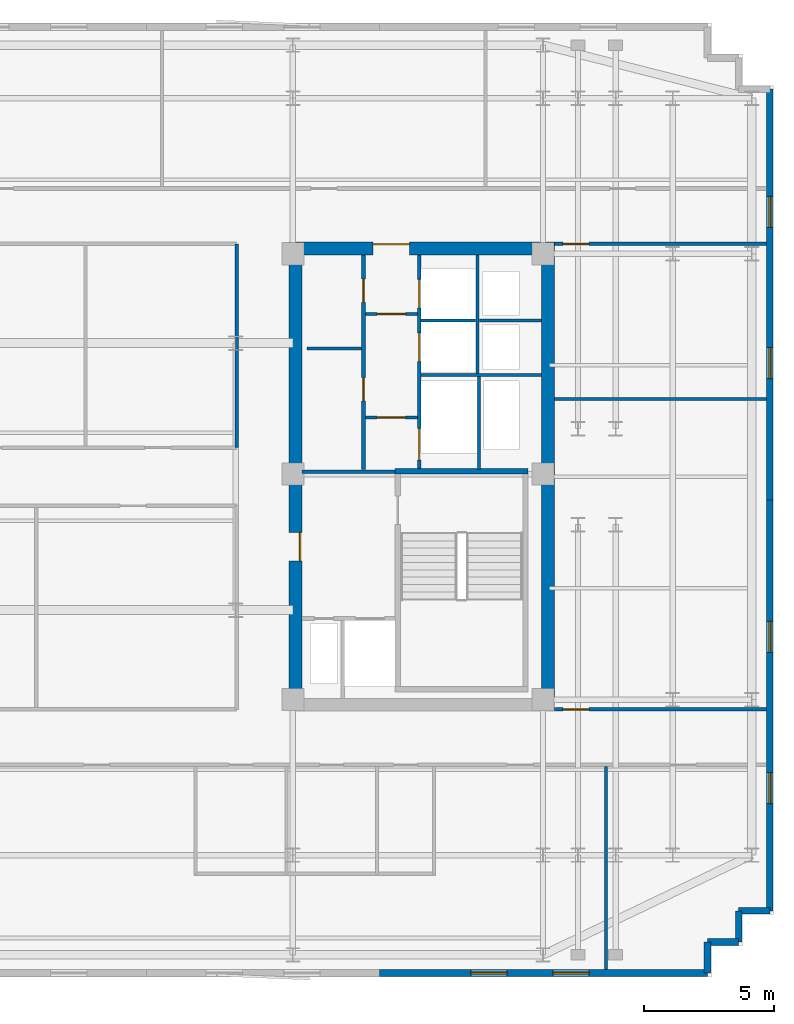
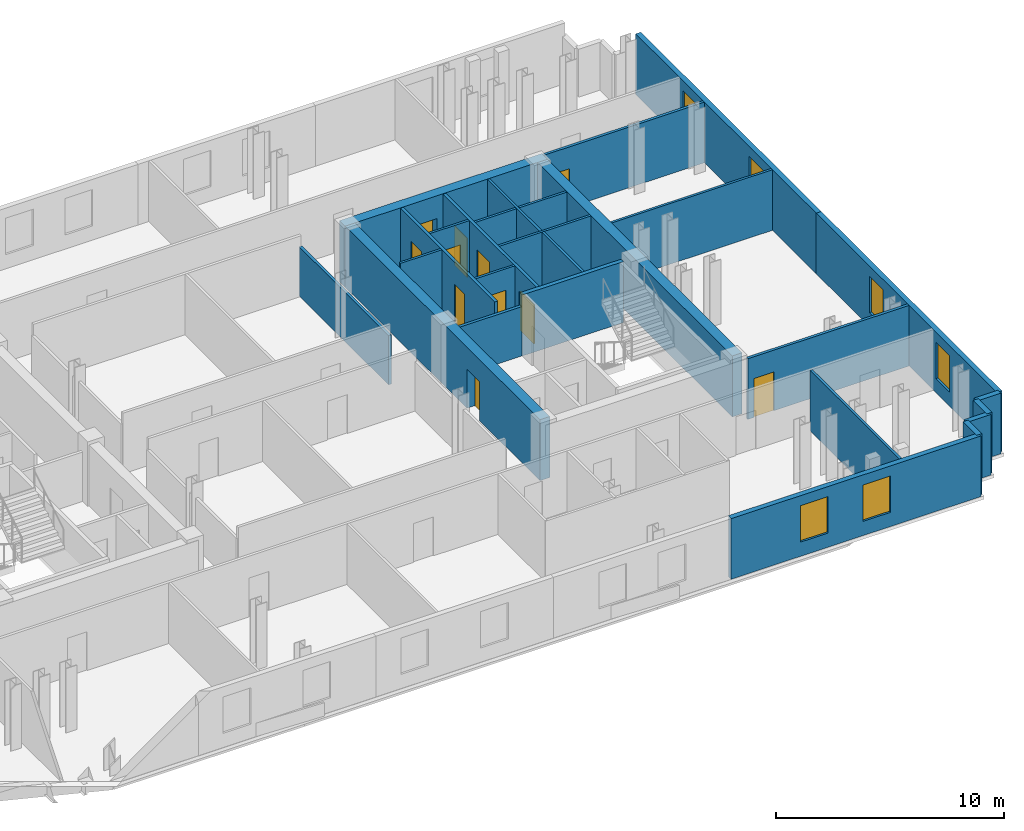
# One storey, part 6 of 9: 27 walls, 11 doors, 6 windows, 17 openings.
"""IFC4 building model written with IfcOpenShell, lengths in metres."""

import ifcopenshell
import ifcopenshell.guid

model = None  # the IFC model being written
_history = None  # IfcOwnerHistory: only IFC2X3 demands one
_inside = {}  # id of a spatial element -> (the spatial element, [elements in it])
_under = {}  # id of a project, library or spatial element -> (it, [spatial elements below it])
_declared = {}  # id of a project -> (the project, [libraries it declares])
_typed = {}  # id of a type object -> (the type object, [elements of that type])
_made_of = {}  # id of a material, layer set ... -> (it, [elements and type objects made of it])


def new_model(schema):
    """Start an empty IFC model of exactly this schema.

    Asked for "IFC4X3", IfcOpenShell would pick the latest addendum, in which some entities
    have other attributes; the version numbers below select the first issue.
    IFC2X3 requires an IfcOwnerHistory on every rooted entity: one is made here for all.
    """
    global model, _history
    if schema == "IFC4X3":
        model = ifcopenshell.file(schema_version=(4, 3, 0, 0))
    else:
        model = ifcopenshell.file(schema=schema)
    _inside.clear()
    _under.clear()
    _declared.clear()
    _typed.clear()
    _made_of.clear()
    _history = None
    if model.schema == "IFC2X3":
        org = make("IfcOrganization", Name="unknown")
        user = make(
            "IfcPersonAndOrganization",
            ThePerson=make("IfcPerson", FamilyName="unknown"),
            TheOrganization=org,
        )
        app = make(
            "IfcApplication",
            ApplicationDeveloper=org,
            Version="unknown",
            ApplicationFullName="unknown",
            ApplicationIdentifier="unknown",
        )
        _history = make(
            "IfcOwnerHistory",
            OwningUser=user,
            OwningApplication=app,
            ChangeAction="ADDED",
            CreationDate=0,
        )
    return model


def make(cls, **values):
    """One entity of the class cls with the attributes given. An attribute that is None is left unset."""
    return model.create_entity(
        cls, **{name: value for name, value in values.items() if value is not None}
    )


def rooted(cls, **values):
    """An entity with a GlobalId (a new one), such as an element, a storey or a relation."""
    return make(cls, GlobalId=ifcopenshell.guid.new(), OwnerHistory=_history, **values)


def si_unit(unit_type, name, prefix=None):
    """IfcSIUnit, for example si_unit("LENGTHUNIT", "METRE", prefix="MILLI")."""
    return make("IfcSIUnit", UnitType=unit_type, Prefix=prefix, Name=name)


def assignment(units):
    """IfcUnitAssignment: the units of a project."""
    return None if units is None else make("IfcUnitAssignment", Units=units)


def point(xyz):
    """IfcCartesianPoint."""
    return None if xyz is None else make("IfcCartesianPoint", Coordinates=xyz)


def direction(xyz):
    """IfcDirection."""
    return None if xyz is None else make("IfcDirection", DirectionRatios=xyz)


def frame(location, z_axis=None, x_axis=None):
    """IfcAxis2Placement3D, a coordinate frame: its origin and axes. An axis left out is left unset."""
    return make(
        "IfcAxis2Placement3D",
        Location=point(location),
        Axis=direction(z_axis),
        RefDirection=direction(x_axis),
    )


def frame_2d(location, x_axis=None):
    """IfcAxis2Placement2D, a coordinate frame in the plane: its origin and x axis."""
    return make(
        "IfcAxis2Placement2D", Location=point(location), RefDirection=direction(x_axis)
    )


def origin():
    """The frame at (0, 0, 0) with its axes left unset."""
    return frame((0.0, 0.0, 0.0))


def place(relative_to, where):
    """IfcLocalPlacement: puts the frame where relative to a parent placement (None: the world)."""
    return make(
        "IfcLocalPlacement", PlacementRelTo=relative_to, RelativePlacement=where
    )


def context(
    kind, dimensions, precision=None, world=None, true_north=None, identifier=None
):
    """IfcGeometricRepresentationContext, for example the 3D "Model" context."""
    return make(
        "IfcGeometricRepresentationContext",
        ContextIdentifier=identifier,
        ContextType=kind,
        CoordinateSpaceDimension=dimensions,
        Precision=precision,
        WorldCoordinateSystem=world,
        TrueNorth=true_north,
    )


def subcontext(parent, identifier, kind, view, scale=None):
    """IfcGeometricRepresentationSubContext, for example "Body" below "Model"."""
    return make(
        "IfcGeometricRepresentationSubContext",
        ContextIdentifier=identifier,
        ContextType=kind,
        ParentContext=parent,
        TargetScale=scale,
        TargetView=view,
    )


def project(units=None, contexts=None):
    """IfcProject with its units and contexts."""
    return rooted(
        "IfcProject",
        Name="project",
        RepresentationContexts=contexts,
        UnitsInContext=assignment(units),
    )


def spatial(cls, under=None, at=None, **own):
    """A site, building, storey or space (cls), placed at a placement, below another one or the project."""
    s = rooted(cls, ObjectPlacement=at, **own)
    if under is not None:
        _under.setdefault(under.id(), (under, []))[1].append(s)
    return s


def profile(cls, at=None, kind="AREA", **sizes):
    """A parametric profile (cls). Its sizes go by their IFC names, for example OverallWidth=200.0."""
    return make(cls, ProfileType=kind, Position=at, **sizes)


def rectangle(**sizes):
    """IfcRectangleProfileDef."""
    return profile("IfcRectangleProfileDef", **sizes)


def extrude(swept, where, along, depth):
    """IfcExtrudedAreaSolid: the profile swept, set in the frame where, extruded along a direction by depth."""
    return make(
        "IfcExtrudedAreaSolid",
        SweptArea=swept,
        Position=where,
        ExtrudedDirection=direction(along),
        Depth=depth,
    )


def shape(context_of_items, identifier, shape_type, items):
    """IfcShapeRepresentation: the items that make up one representation, for example the "Body"."""
    return make(
        "IfcShapeRepresentation",
        ContextOfItems=context_of_items,
        RepresentationIdentifier=identifier,
        RepresentationType=shape_type,
        Items=items,
    )


def material(Name=None, Category=None):
    """IfcMaterial."""
    return make("IfcMaterial", Name=Name, Category=Category)


def layer(
    of_material, thickness, ventilated=None, Name=None, Category=None, Priority=None
):
    """IfcMaterialLayer: one layer of a wall or slab, of a material (None: an air gap)."""
    return make(
        "IfcMaterialLayer",
        Material=of_material,
        LayerThickness=thickness,
        IsVentilated=ventilated,
        Name=Name,
        Category=Category,
        Priority=Priority,
    )


def layer_set(layers, Name=None):
    """IfcMaterialLayerSet."""
    return make("IfcMaterialLayerSet", MaterialLayers=layers, LayerSetName=Name)


def made_of(thing, what):
    """Note that an element or type object is made of a material, layer set ...; save() writes the relation."""
    if what is not None:
        _made_of.setdefault(what.id(), (what, []))[1].append(thing)
    return thing


def type_object(cls, material=None, **own):
    """A type object (cls), such as IfcWallType, which elements share."""
    return made_of(rooted(cls, **own), material)


def element(
    cls,
    number,
    at=None,
    inside=None,
    cuts=None,
    type_object=None,
    material=None,
    context=None,
    identifier="Body",
    shape_type=None,
    held_by="IfcProductDefinitionShape",
    body=None,
    shapes=None,
    **own,
):
    """One element of the class cls, such as IfcWall. Its Tag is "e" and its number.

    at: its placement. inside: the storey or other place that contains it. cuts: it is an
    opening in that element (IfcRelVoidsElement). A single representation is given by context,
    identifier, shape_type and body (its items); several are given by shapes. held_by: the class
    of the entity that holds the representations. save() writes the other relations.
    """
    e = rooted(cls, Tag="e%d" % number, ObjectPlacement=at, **own)
    if body is not None:
        shapes = [shape(context, identifier, shape_type, body)]
    if shapes is not None:
        e.Representation = make(held_by, Representations=shapes)
    if inside is not None:
        _inside.setdefault(inside.id(), (inside, []))[1].append(e)
    if cuts is not None:
        rooted(
            "IfcRelVoidsElement", RelatingBuildingElement=cuts, RelatedOpeningElement=e
        )
    if type_object is not None:
        _typed.setdefault(type_object.id(), (type_object, []))[1].append(e)
    return made_of(e, material)


def fill(opening, filler):
    """IfcRelFillsElement: the door or window that sits in an opening."""
    return rooted(
        "IfcRelFillsElement",
        RelatingOpeningElement=opening,
        RelatedBuildingElement=filler,
    )


def aggregate(whole, parts):
    """IfcRelAggregates: a whole, such as a stair, and the parts it consists of."""
    return rooted("IfcRelAggregates", RelatingObject=whole, RelatedObjects=parts)


def save(model, path):
    """Write the relations noted so far, then the file.

    IfcRelAggregates (storeys below a building ...), IfcRelContainedInSpatialStructure (elements
    in a storey), IfcRelDefinesByType, IfcRelAssociatesMaterial and IfcRelDeclares: one each for
    every whole, place, type object, material and project.
    """
    for whole, parts in _under.values():
        aggregate(whole, parts)
    for where, things in _inside.values():
        rooted(
            "IfcRelContainedInSpatialStructure",
            RelatedElements=things,
            RelatingStructure=where,
        )
    for kind, things in _typed.values():
        rooted("IfcRelDefinesByType", RelatedObjects=things, RelatingType=kind)
    for what, things in _made_of.values():
        rooted("IfcRelAssociatesMaterial", RelatedObjects=things, RelatingMaterial=what)
    for by, libraries in _declared.values():
        rooted("IfcRelDeclares", RelatingContext=by, RelatedDefinitions=libraries)
    model.write(path)


model = new_model("IFC4")

# Units and contexts
model_context = context("Model", 3, precision=1e-05, world=origin(), true_north=direction((0.0, 1.0)))
body_context = subcontext(model_context, "Body", "Model", "MODEL_VIEW")
ifc_project = project(units=[si_unit("LENGTHUNIT", "METRE"), si_unit("AREAUNIT", "SQUARE_METRE"), si_unit("VOLUMEUNIT", "CUBIC_METRE"), si_unit("PLANEANGLEUNIT", "RADIAN"), si_unit("MASSUNIT", "GRAM", prefix="KILO")], contexts=[model_context])

# Site, building, storey
site_placement = place(None, origin())
site = spatial("IfcSite", under=ifc_project, at=site_placement, CompositionType="ELEMENT")
building_placement = place(site_placement, origin())
building = spatial("IfcBuilding", under=site, at=building_placement, Name="Velakula Bourse", CompositionType="ELEMENT")
storey_placement = place(building_placement, frame((0.0, 0.0, 225.75)))
storey = spatial("IfcBuildingStorey", under=building, at=storey_placement, Name="L61", CompositionType="ELEMENT", Elevation=225.75)

# Wall
ifc_material_1 = material(Name="Concrete M50 (fck 50 MPa)", Category="concrete")
ifc_layer_1 = layer(ifc_material_1, 0.2099609375, Name="Concrete M50 (fck 50 MPa)", Category="concrete")
ifc_layer_set_1 = layer_set([ifc_layer_1], Name="Concrete M50 (fck 50 MPa)")
wall_type_1 = type_object("IfcWallType", Name="WL-CORE-210", PredefinedType="SHEAR", material=ifc_layer_set_1)
wall_1_placement = place(storey_placement, frame((18.030029296875, 0.205078125, 0.0), z_axis=(0.0, 0.0, 1.0), x_axis=(-1.0, 0.0, 0.0)))
element("IfcWall", 1, at=wall_1_placement, inside=storey, type_object=wall_type_1, Name="L61 Core E Stairwell Shear Wall N", PredefinedType="SHEAR", context=body_context, shape_type="SweptSolid", body=[
    extrude(rectangle(XDim=5.14013671875, YDim=0.2099609375, at=frame_2d((2.570068359375, 0.0))), origin(), (0.0, 0.0, 1.0), 3.27001953125),
])

# Wall, opening, door
ifc_layer_2 = layer(ifc_material_1, 0.5, Name="Concrete M50 (fck 50 MPa)", Category="concrete")
ifc_layer_set_2 = layer_set([ifc_layer_2], Name="Concrete M50 (fck 50 MPa)")
wall_type_2 = type_object("IfcWallType", Name="WL-CORE-500", PredefinedType="SHEAR", material=ifc_layer_set_2)
wall_2_placement = place(storey_placement, frame((8.800048828125, 8.800048828125, 0.0), z_axis=(0.0, 0.0, 1.0), x_axis=(1.0, 0.0, 0.0)))
wall_2 = element("IfcWall", 2, at=wall_2_placement, inside=storey, type_object=wall_type_2, Name="L61 Core E Shear Wall N", PredefinedType="SHEAR", context=body_context, shape_type="SweptSolid", body=[
    extrude(rectangle(XDim=10.25, YDim=0.5, at=frame_2d((5.125, 0.0))), origin(), (0.0, 0.0, 1.0), 3.27001953125),
])
opening_1_placement = place(wall_2_placement, frame((3.25, 0.0, 0.0)))
opening_1 = element("IfcOpeningElement", 3, at=opening_1_placement, cuts=wall_2, Name="Opening D-LLE", PredefinedType="OPENING", context=body_context, shape_type="SweptSolid", body=[
    extrude(rectangle(XDim=1.39990234375, YDim=2.050048828125, at=frame_2d((0.699951171875, 1.02490234375))), frame((0.0, 0.260009765625, 0.0), z_axis=(0.0, -1.0, 0.0), x_axis=(1.0, 0.0, 0.0)), (0.0, 0.0, 1.0), 0.52001953125),
])
ifc_material_2 = material(Name="Fire-rated hardwood flush architectural door", Category="wood")
door_type_1 = type_object("IfcDoorType", Name="DR-DBL-FD60-1400", OperationType="DOUBLE_DOOR_SINGLE_SWING", PredefinedType="DOOR", material=ifc_material_2)
door_1_placement = place(opening_1_placement, origin())
door_1 = element("IfcDoor", 4, at=door_1_placement, inside=storey, type_object=door_type_1, Name="L61 Core E Lift Lobby Corridor Double Door", OperationType="DOUBLE_DOOR_SINGLE_SWING", OverallHeight=2.050048828125, OverallWidth=1.39990234375, PredefinedType="DOOR", context=body_context, shape_type="SweptSolid", body=[
    extrude(rectangle(XDim=1.39990234375, YDim=2.050048828125, at=frame_2d((0.699951171875, 1.02490234375))), frame((0.0, 0.19482421875, 0.0), z_axis=(0.0, -1.0, 0.0), x_axis=(1.0, 0.0, 0.0)), (0.0, 0.0, 1.0), 0.050048828125),
])
fill(opening_1, door_1)

wall_3_placement = place(storey_placement, frame((9.050048828125, -8.550048828125, 0.0), z_axis=(0.0, 0.0, 1.0), x_axis=(0.0, 1.0, 0.0)))
wall_3 = element("IfcWall", 5, at=wall_3_placement, inside=storey, type_object=wall_type_2, Name="L61 Core E Shear Wall W", PredefinedType="SHEAR", context=body_context, shape_type="SweptSolid", body=[
    extrude(rectangle(XDim=17.10009765625, YDim=0.5, at=frame_2d((8.550048828125, 0.0))), origin(), (0.0, 0.0, 1.0), 3.27001953125),
])
opening_2_placement = place(wall_3_placement, frame((5.300048828125, 0.0, 0.0)))
opening_2 = element("IfcOpeningElement", 6, at=opening_2_placement, cuts=wall_3, Name="Opening D-FLE", PredefinedType="OPENING", context=body_context, shape_type="SweptSolid", body=[
    extrude(rectangle(XDim=1.10009765625, YDim=2.080078125, at=frame_2d((0.550048828125, 1.0400390625))), frame((0.0, 0.260009765625, 0.0), z_axis=(0.0, -1.0, 0.0), x_axis=(1.0, 0.0, 0.0)), (0.0, 0.0, 1.0), 0.52001953125),
])
ifc_material_3 = material(Name="Galvanised painted hollow steel fire door", Category="steel")
door_type_2 = type_object("IfcDoorType", Name="DR-FD120-1100", OperationType="NOTDEFINED", PredefinedType="DOOR", material=ifc_material_3)
door_2_placement = place(opening_2_placement, origin())
door_2 = element("IfcDoor", 7, at=door_2_placement, inside=storey, type_object=door_type_2, Name="L61 Firefighting Lobby E Corridor Fire Door", OperationType="SINGLE_SWING_RIGHT", OverallHeight=2.080078125, OverallWidth=1.10009765625, PredefinedType="DOOR", context=body_context, shape_type="SweptSolid", body=[
    extrude(rectangle(XDim=1.10009765625, YDim=2.080078125, at=frame_2d((0.550048828125, 1.0400390625))), frame((0.0, -0.15478515625, 0.0), z_axis=(0.0, -1.0, 0.0), x_axis=(1.0, 0.0, 0.0)), (0.0, 0.0, 1.0), 0.050048828125),
])
fill(opening_2, door_2)

# Wall
wall_4_placement = place(storey_placement, frame((18.800048828125, -8.550048828125, 0.0), z_axis=(0.0, 0.0, 1.0), x_axis=(0.0, 1.0, 0.0)))
element("IfcWall", 8, at=wall_4_placement, inside=storey, type_object=wall_type_2, Name="L61 Core E Shear Wall E", PredefinedType="SHEAR", context=body_context, shape_type="SweptSolid", body=[
    extrude(rectangle(XDim=17.10009765625, YDim=0.5, at=frame_2d((8.550048828125, 0.0))), origin(), (0.0, 0.0, 1.0), 3.27001953125),
])

# Wall, openings, windows
ifc_material_4 = material(Name="Buff kilned clay facing brick masonry", Category="masonry")
ifc_layer_3 = layer(ifc_material_4, 0.260009765625, Name="Buff kilned clay facing brick masonry", Category="masonry")
ifc_layer_set_3 = layer_set([ifc_layer_3], Name="Buff kilned clay facing brick masonry")
wall_type_3 = type_object("IfcWallType", Name="WL-EXT-BRK-260", PredefinedType="STANDARD", material=ifc_layer_set_3)
wall_5_placement = place(storey_placement, frame((24.949951171875, -19.14990234375, 0.0), z_axis=(0.0, 0.0, 1.0), x_axis=(-1.0, 0.0, 0.0)))
wall_5 = element("IfcWall", 9, at=wall_5_placement, inside=storey, type_object=wall_type_3, Name="L61 S Brick Spandrel Wall B5", PredefinedType="STANDARD", context=body_context, shape_type="SweptSolid", body=[
    extrude(rectangle(XDim=12.64990234375, YDim=0.260009765625, at=frame_2d((6.324951171875, 0.0))), origin(), (0.0, 0.0, 1.0), 3.25),
])
opening_3_placement = place(wall_5_placement, frame((4.566650390625, 0.0, 0.760009765625)))
opening_3 = element("IfcOpeningElement", 10, at=opening_3_placement, cuts=wall_5, Name="Opening W-03", PredefinedType="OPENING", context=body_context, shape_type="SweptSolid", body=[
    extrude(rectangle(XDim=1.39990234375, YDim=1.949951171875, at=frame_2d((0.699951171875, 0.97509765625))), frame((0.0, 0.139892578125, 0.0), z_axis=(0.0, -1.0, 0.0), x_axis=(1.0, 0.0, 0.0)), (0.0, 0.0, 1.0), 0.280029296875),
])
opening_4_placement = place(wall_5_placement, frame((7.7333984375, 0.0, 0.760009765625)))
opening_4 = element("IfcOpeningElement", 11, at=opening_4_placement, cuts=wall_5, Name="Opening W-03", PredefinedType="OPENING", context=body_context, shape_type="SweptSolid", body=[
    extrude(rectangle(XDim=1.39990234375, YDim=1.949951171875, at=frame_2d((0.699951171875, 0.97509765625))), frame((0.0, 0.139892578125, 0.0), z_axis=(0.0, -1.0, 0.0), x_axis=(1.0, 0.0, 0.0)), (0.0, 0.0, 1.0), 0.280029296875),
])
ifc_material_5 = material(Name="Double-glazed solar-control Low-E glass", Category="glass")
window_type_1 = type_object("IfcWindowType", Name="WIN-TWR-1400x2100", PartitioningType="SINGLE_PANEL", PredefinedType="WINDOW", material=ifc_material_5)
window_1_placement = place(opening_3_placement, origin())
window_1 = element("IfcWindow", 12, at=window_1_placement, inside=storey, type_object=window_type_1, Name="L61 Deep-Set Recessed Window 1", OverallHeight=1.949951171875, OverallWidth=1.39990234375, PartitioningType="SINGLE_PANEL", PredefinedType="WINDOW", context=body_context, shape_type="SweptSolid", body=[
    extrude(rectangle(XDim=1.39990234375, YDim=1.949951171875, at=frame_2d((0.699951171875, 0.97509765625))), frame((0.0, 0.030029296875, 0.0), z_axis=(0.0, -1.0, 0.0), x_axis=(1.0, 0.0, 0.0)), (0.0, 0.0, 1.0), 0.06005859375),
])
fill(opening_3, window_1)
window_2_placement = place(opening_4_placement, origin())
window_2 = element("IfcWindow", 13, at=window_2_placement, inside=storey, type_object=window_type_1, Name="L61 Deep-Set Recessed Window 2", OverallHeight=1.949951171875, OverallWidth=1.39990234375, PartitioningType="SINGLE_PANEL", PredefinedType="WINDOW", context=body_context, shape_type="SweptSolid", body=[
    extrude(rectangle(XDim=1.39990234375, YDim=1.949951171875, at=frame_2d((0.699951171875, 0.97509765625))), frame((0.0, 0.030029296875, 0.0), z_axis=(0.0, -1.0, 0.0), x_axis=(1.0, 0.0, 0.0)), (0.0, 0.0, 1.0), 0.06005859375),
])
fill(opening_4, window_2)

wall_6_placement = place(storey_placement, frame((27.35009765625, -0.89990234375, 0.0), z_axis=(0.0, 0.0, 1.0), x_axis=(0.0, -1.0, 0.0)))
wall_6 = element("IfcWall", 14, at=wall_6_placement, inside=storey, type_object=wall_type_3, Name="L61 E Brick End Wall W1", PredefinedType="STANDARD", context=body_context, shape_type="SweptSolid", body=[
    extrude(rectangle(XDim=15.85009765625, YDim=0.260009765625, at=frame_2d((7.925048828125, 0.0))), origin(), (0.0, 0.0, 1.0), 3.25),
])
opening_5_placement = place(wall_6_placement, frame((4.683349609375, 0.0, 0.760009765625)))
opening_5 = element("IfcOpeningElement", 15, at=opening_5_placement, cuts=wall_6, Name="Opening W-04", PredefinedType="OPENING", context=body_context, shape_type="SweptSolid", body=[
    extrude(rectangle(XDim=1.199951171875, YDim=1.949951171875, at=frame_2d((0.60009765625, 0.97509765625))), frame((0.0, 0.139892578125, 0.0), z_axis=(0.0, -1.0, 0.0), x_axis=(1.0, 0.0, 0.0)), (0.0, 0.0, 1.0), 0.280029296875),
])
opening_6_placement = place(wall_6_placement, frame((10.5166015625, 0.0, 0.760009765625)))
opening_6 = element("IfcOpeningElement", 16, at=opening_6_placement, cuts=wall_6, Name="Opening W-04", PredefinedType="OPENING", context=body_context, shape_type="SweptSolid", body=[
    extrude(rectangle(XDim=1.199951171875, YDim=1.949951171875, at=frame_2d((0.60009765625, 0.97509765625))), frame((0.0, 0.139892578125, 0.0), z_axis=(0.0, -1.0, 0.0), x_axis=(1.0, 0.0, 0.0)), (0.0, 0.0, 1.0), 0.280029296875),
])
window_type_2 = type_object("IfcWindowType", Name="WIN-TWR-1200x2100", PartitioningType="SINGLE_PANEL", PredefinedType="WINDOW", material=ifc_material_5)
window_3_placement = place(opening_5_placement, origin())
window_3 = element("IfcWindow", 17, at=window_3_placement, inside=storey, type_object=window_type_2, Name="L61 Deep-Set Recessed Window 1", OverallHeight=1.949951171875, OverallWidth=1.199951171875, PartitioningType="SINGLE_PANEL", PredefinedType="WINDOW", context=body_context, shape_type="SweptSolid", body=[
    extrude(rectangle(XDim=1.199951171875, YDim=1.949951171875, at=frame_2d((0.60009765625, 0.97509765625))), frame((0.0, 0.030029296875, 0.0), z_axis=(0.0, -1.0, 0.0), x_axis=(1.0, 0.0, 0.0)), (0.0, 0.0, 1.0), 0.06005859375),
])
fill(opening_5, window_3)
window_4_placement = place(opening_6_placement, origin())
window_4 = element("IfcWindow", 18, at=window_4_placement, inside=storey, type_object=window_type_2, Name="L61 Deep-Set Recessed Window 2", OverallHeight=1.949951171875, OverallWidth=1.199951171875, PartitioningType="SINGLE_PANEL", PredefinedType="WINDOW", context=body_context, shape_type="SweptSolid", body=[
    extrude(rectangle(XDim=1.199951171875, YDim=1.949951171875, at=frame_2d((0.60009765625, 0.97509765625))), frame((0.0, 0.030029296875, 0.0), z_axis=(0.0, -1.0, 0.0), x_axis=(1.0, 0.0, 0.0)), (0.0, 0.0, 1.0), 0.06005859375),
])
fill(opening_6, window_4)

wall_7_placement = place(storey_placement, frame((27.35009765625, 14.949951171875, 0.0), z_axis=(0.0, 0.0, 1.0), x_axis=(0.0, -1.0, 0.0)))
wall_7 = element("IfcWall", 19, at=wall_7_placement, inside=storey, type_object=wall_type_3, Name="L61 E Brick End Wall W2", PredefinedType="STANDARD", context=body_context, shape_type="SweptSolid", body=[
    extrude(rectangle(XDim=15.849853515625, YDim=0.260009765625, at=frame_2d((7.9248046875, 0.0))), origin(), (0.0, 0.0, 1.0), 3.25),
])
opening_7_placement = place(wall_7_placement, frame((4.13330078125, 0.0, 0.760009765625)))
opening_7 = element("IfcOpeningElement", 20, at=opening_7_placement, cuts=wall_7, Name="Opening W-04", PredefinedType="OPENING", context=body_context, shape_type="SweptSolid", body=[
    extrude(rectangle(XDim=1.199951171875, YDim=1.949951171875, at=frame_2d((0.60009765625, 0.97509765625))), frame((0.0, 0.139892578125, 0.0), z_axis=(0.0, -1.0, 0.0), x_axis=(1.0, 0.0, 0.0)), (0.0, 0.0, 1.0), 0.280029296875),
])
opening_8_placement = place(wall_7_placement, frame((9.966796875, 0.0, 0.760009765625)))
opening_8 = element("IfcOpeningElement", 21, at=opening_8_placement, cuts=wall_7, Name="Opening W-04", PredefinedType="OPENING", context=body_context, shape_type="SweptSolid", body=[
    extrude(rectangle(XDim=1.199951171875, YDim=1.949951171875, at=frame_2d((0.60009765625, 0.97509765625))), frame((0.0, 0.139892578125, 0.0), z_axis=(0.0, -1.0, 0.0), x_axis=(1.0, 0.0, 0.0)), (0.0, 0.0, 1.0), 0.280029296875),
])
window_5_placement = place(opening_7_placement, origin())
window_5 = element("IfcWindow", 22, at=window_5_placement, inside=storey, type_object=window_type_2, Name="L61 Deep-Set Recessed Window 1", OverallHeight=1.949951171875, OverallWidth=1.199951171875, PartitioningType="SINGLE_PANEL", PredefinedType="WINDOW", context=body_context, shape_type="SweptSolid", body=[
    extrude(rectangle(XDim=1.199951171875, YDim=1.949951171875, at=frame_2d((0.60009765625, 0.97509765625))), frame((0.0, 0.030029296875, 0.0), z_axis=(0.0, -1.0, 0.0), x_axis=(1.0, 0.0, 0.0)), (0.0, 0.0, 1.0), 0.06005859375),
])
fill(opening_7, window_5)
window_6_placement = place(opening_8_placement, origin())
window_6 = element("IfcWindow", 23, at=window_6_placement, inside=storey, type_object=window_type_2, Name="L61 Deep-Set Recessed Window 2", OverallHeight=1.949951171875, OverallWidth=1.199951171875, PartitioningType="SINGLE_PANEL", PredefinedType="WINDOW", context=body_context, shape_type="SweptSolid", body=[
    extrude(rectangle(XDim=1.199951171875, YDim=1.949951171875, at=frame_2d((0.60009765625, 0.97509765625))), frame((0.0, 0.030029296875, 0.0), z_axis=(0.0, -1.0, 0.0), x_axis=(1.0, 0.0, 0.0)), (0.0, 0.0, 1.0), 0.06005859375),
])
fill(opening_8, window_6)

# Walls
for number, where, z_axis, x_axis, name in (
    (24, (24.949951171875, -19.14990234375, 0.0), (0.0, 0.0, 1.0), (0.0, 1.0, 0.0), "L61 Serrated Corner Brick Wall SE-1"),
    (25, (24.949951171875, -17.949951171875, 0.0), (0.0, 0.0, 1.0), (1.0, 0.0, 0.0), "L61 Serrated Corner Brick Wall SE-2"),
    (26, (26.14990234375, -17.949951171875, 0.0), (0.0, 0.0, 1.0), (0.0, 1.0, 0.0), "L61 Serrated Corner Brick Wall SE-3"),
):
    element("IfcWall", number, at=place(storey_placement, frame(where, z_axis=z_axis, x_axis=x_axis)), inside=storey, type_object=wall_type_3, Name=name, PredefinedType="STANDARD", context=body_context, shape_type="SweptSolid", body=[
        extrude(rectangle(XDim=1.199951171875, YDim=0.260009765625, at=frame_2d((0.60009765625, 0.0))), origin(), (0.0, 0.0, 1.0), 3.25),
    ])
wall_8_placement = place(storey_placement, frame((26.14990234375, -16.75, 0.0), z_axis=(0.0, 0.0, 1.0), x_axis=(1.0, 0.0, 0.0)))
element("IfcWall", 27, at=wall_8_placement, inside=storey, type_object=wall_type_3, Name="L61 Serrated Corner Brick Wall SE-4", PredefinedType="STANDARD", context=body_context, shape_type="SweptSolid", body=[
    extrude(rectangle(XDim=1.2001953125, YDim=0.260009765625, at=frame_2d((0.60009765625, 0.0))), origin(), (0.0, 0.0, 1.0), 3.25),
])

# Wall, opening, door
ifc_material_6 = material(Name="Fire-rated double-layer gypsum drywall partition", Category="gypsum")
ifc_layer_4 = layer(ifc_material_6, 0.1201171875, Name="Fire-rated double-layer gypsum drywall partition", Category="gypsum")
ifc_layer_set_4 = layer_set([ifc_layer_4], Name="Fire-rated double-layer gypsum drywall partition")
wall_type_4 = type_object("IfcWallType", Name="WL-PART-120", PredefinedType="STANDARD", material=ifc_layer_set_4)
wall_9_placement = place(storey_placement, frame((11.75, 2.280029296875, 0.0), z_axis=(0.0, 0.0, 1.0), x_axis=(1.0, 0.0, 0.0)))
wall_9 = element("IfcWall", 28, at=wall_9_placement, inside=storey, type_object=wall_type_4, Name="L61 Interior Partition WL-CRE-L61-LL-K3A", PredefinedType="STANDARD", context=body_context, shape_type="SweptSolid", body=[
    extrude(rectangle(XDim=2.0, YDim=0.1201171875, at=frame_2d((1.0, 0.0))), origin(), (0.0, 0.0, 1.0), 3.25),
])
opening_9_placement = place(wall_9_placement, frame((0.449951171875, 0.0, 0.0)))
opening_9 = element("IfcOpeningElement", 29, at=opening_9_placement, cuts=wall_9, Name="Opening D-LK3", PredefinedType="OPENING", context=body_context, shape_type="SweptSolid", body=[
    extrude(rectangle(XDim=1.10009765625, YDim=2.10009765625, at=frame_2d((0.550048828125, 1.050048828125))), frame((0.0, 0.070068359375, 0.0), z_axis=(0.0, -1.0, 0.0), x_axis=(1.0, 0.0, 0.0)), (0.0, 0.0, 1.0), 0.14013671875),
])
door_type_3 = type_object("IfcDoorType", Name="DR-FD60-1100x2100", OperationType="NOTDEFINED", PredefinedType="DOOR", material=ifc_material_2)
door_3_placement = place(opening_9_placement, origin())
door_3 = element("IfcDoor", 30, at=door_3_placement, inside=storey, type_object=door_type_3, Name="L61 Core E Lift Lobby Vestibule Door A", OperationType="SINGLE_SWING_LEFT", OverallHeight=2.10009765625, OverallWidth=1.10009765625, PredefinedType="DOOR", context=body_context, shape_type="SweptSolid", body=[
    extrude(rectangle(XDim=1.10009765625, YDim=2.10009765625, at=frame_2d((0.550048828125, 1.050048828125))), frame((0.0, 0.02490234375, 0.0), z_axis=(0.0, -1.0, 0.0), x_axis=(1.0, 0.0, 0.0)), (0.0, 0.0, 1.0), 0.050048828125),
])
fill(opening_9, door_3)

wall_10_placement = place(storey_placement, frame((11.75, 6.280029296875, 0.0), z_axis=(0.0, 0.0, 1.0), x_axis=(1.0, 0.0, 0.0)))
wall_10 = element("IfcWall", 31, at=wall_10_placement, inside=storey, type_object=wall_type_4, Name="L61 Interior Partition WL-CRE-L61-LL-K3B", PredefinedType="STANDARD", context=body_context, shape_type="SweptSolid", body=[
    extrude(rectangle(XDim=2.0, YDim=0.1201171875, at=frame_2d((1.0, 0.0))), origin(), (0.0, 0.0, 1.0), 3.25),
])
opening_10_placement = place(wall_10_placement, frame((0.449951171875, 0.0, 0.0)))
opening_10 = element("IfcOpeningElement", 32, at=opening_10_placement, cuts=wall_10, Name="Opening D-LK3", PredefinedType="OPENING", context=body_context, shape_type="SweptSolid", body=[
    extrude(rectangle(XDim=1.10009765625, YDim=2.10009765625, at=frame_2d((0.550048828125, 1.050048828125))), frame((0.0, 0.070068359375, 0.0), z_axis=(0.0, -1.0, 0.0), x_axis=(1.0, 0.0, 0.0)), (0.0, 0.0, 1.0), 0.14013671875),
])
door_4_placement = place(opening_10_placement, origin())
door_4 = element("IfcDoor", 33, at=door_4_placement, inside=storey, type_object=door_type_3, Name="L61 Core E Lift Lobby Vestibule Door B", OperationType="SINGLE_SWING_RIGHT", OverallHeight=2.10009765625, OverallWidth=1.10009765625, PredefinedType="DOOR", context=body_context, shape_type="SweptSolid", body=[
    extrude(rectangle(XDim=1.10009765625, YDim=2.10009765625, at=frame_2d((0.550048828125, 1.050048828125))), frame((0.0, 0.02490234375, 0.0), z_axis=(0.0, -1.0, 0.0), x_axis=(1.0, 0.0, 0.0)), (0.0, 0.0, 1.0), 0.050048828125),
])
fill(opening_10, door_4)

# Walls
wall_11_placement = place(storey_placement, frame((9.5, 4.949951171875, 0.0), z_axis=(0.0, 0.0, 1.0), x_axis=(1.0, 0.0, 0.0)))
element("IfcWall", 34, at=wall_11_placement, inside=storey, type_object=wall_type_4, Name="L61 Interior Partition WL-CRE-L61-RCDIV", PredefinedType="STANDARD", context=body_context, shape_type="SweptSolid", body=[
    extrude(rectangle(XDim=2.10009765625, YDim=0.1201171875, at=frame_2d((1.050048828125, 0.0))), origin(), (0.0, 0.0, 1.0), 3.25),
])
wall_12_placement = place(storey_placement, frame((13.89990234375, 3.919921875, 0.0), z_axis=(0.0, 0.0, 1.0), x_axis=(1.0, 0.0, 0.0)))
element("IfcWall", 35, at=wall_12_placement, inside=storey, type_object=wall_type_4, Name="L61 Interior Partition WL-CRE-L61-HI-S", PredefinedType="STANDARD", context=body_context, shape_type="SweptSolid", body=[
    extrude(rectangle(XDim=4.650146484375, YDim=0.1201171875, at=frame_2d((2.3251953125, 0.0))), origin(), (0.0, 0.0, 1.0), 3.25),
])
wall_13_placement = place(storey_placement, frame((16.14990234375, 6.030029296875, 0.0), z_axis=(0.0, 0.0, 1.0), x_axis=(1.0, 0.0, 0.0)))
element("IfcWall", 36, at=wall_13_placement, inside=storey, type_object=wall_type_4, Name="L61 Interior Partition WL-CRE-L61-RIS-MID", PredefinedType="STANDARD", context=body_context, shape_type="SweptSolid", body=[
    extrude(rectangle(XDim=2.400146484375, YDim=0.1201171875, at=frame_2d((1.2001953125, 0.0))), origin(), (0.0, 0.0, 1.0), 3.25),
])
wall_14_placement = place(storey_placement, frame((16.074951171875, 3.97998046875, 0.0), z_axis=(0.0, 0.0, 1.0), x_axis=(0.0, 1.0, 0.0)))
element("IfcWall", 37, at=wall_14_placement, inside=storey, type_object=wall_type_4, Name="L61 Interior Partition WL-CRE-L61-RIS-F", PredefinedType="STANDARD", context=body_context, shape_type="SweptSolid", body=[
    extrude(rectangle(XDim=4.570068359375, YDim=0.1201171875, at=frame_2d((2.28515625, 0.0))), origin(), (0.0, 0.0, 1.0), 3.25),
])
wall_15_placement = place(storey_placement, frame((13.89990234375, 6.030029296875, 0.0), z_axis=(0.0, 0.0, 1.0), x_axis=(1.0, 0.0, 0.0)))
element("IfcWall", 38, at=wall_15_placement, inside=storey, type_object=wall_type_4, Name="L61 Interior Partition WL-CRE-L61-HI-DIV", PredefinedType="STANDARD", context=body_context, shape_type="SweptSolid", body=[
    extrude(rectangle(XDim=2.10009765625, YDim=0.1201171875, at=frame_2d((1.050048828125, 0.0))), origin(), (0.0, 0.0, 1.0), 3.25),
])
wall_16_placement = place(storey_placement, frame((16.125, 0.27001953125, 0.0), z_axis=(0.0, 0.0, 1.0), x_axis=(0.0, 1.0, 0.0)))
element("IfcWall", 39, at=wall_16_placement, inside=storey, type_object=wall_type_4, Name="L61 Interior Partition WL-CRE-L61-SVL-E", PredefinedType="STANDARD", context=body_context, shape_type="SweptSolid", body=[
    extrude(rectangle(XDim=3.590087890625, YDim=0.1201171875, at=frame_2d((1.794921875, 0.0))), origin(), (0.0, 0.0, 1.0), 3.25),
])
wall_17_placement = place(storey_placement, frame((21.034912109375, -19.02001953125, 0.0), z_axis=(0.0, 0.0, 1.0), x_axis=(0.0, 1.0, 0.0)))
element("IfcWall", 40, at=wall_17_placement, inside=storey, type_object=wall_type_4, Name="L61 Interior Partition WL-INT-L61-SR-D8", PredefinedType="STANDARD", context=body_context, shape_type="SweptSolid", body=[
    extrude(rectangle(XDim=7.830078125, YDim=0.1201171875, at=frame_2d((3.9150390625, 0.0))), origin(), (0.0, 0.0, 1.0), 3.25),
])
wall_18_placement = place(storey_placement, frame((19.050048828125, 3.0, 0.0), z_axis=(0.0, 0.0, 1.0), x_axis=(1.0, 0.0, 0.0)))
element("IfcWall", 41, at=wall_18_placement, inside=storey, type_object=wall_type_4, Name="L61 Interior Partition WL-INT-L61-E-H", PredefinedType="STANDARD", context=body_context, shape_type="SweptSolid", body=[
    extrude(rectangle(XDim=8.169921875, YDim=0.1201171875, at=frame_2d((4.0849609375, 0.0))), origin(), (0.0, 0.0, 1.0), 3.25),
])

# Wall, opening, door
ifc_layer_5 = layer(ifc_material_6, 0.139892578125, Name="Fire-rated double-layer gypsum drywall partition", Category="gypsum")
ifc_layer_set_5 = layer_set([ifc_layer_5], Name="Fire-rated double-layer gypsum drywall partition")
wall_type_5 = type_object("IfcWallType", Name="WL-PART-140", PredefinedType="STANDARD", material=ifc_layer_set_5)
wall_19_placement = place(storey_placement, frame((19.050048828125, 8.97998046875, 0.0), z_axis=(0.0, 0.0, 1.0), x_axis=(1.0, 0.0, 0.0)))
wall_19 = element("IfcWall", 42, at=wall_19_placement, inside=storey, type_object=wall_type_5, Name="L61 Interior Partition WL-INT-L61-E-NC", PredefinedType="STANDARD", context=body_context, shape_type="SweptSolid", body=[
    extrude(rectangle(XDim=8.169921875, YDim=0.139892578125, at=frame_2d((4.0849609375, 0.0))), origin(), (0.0, 0.0, 1.0), 3.25),
])
opening_11_placement = place(wall_19_placement, frame((0.320068359375, 0.0, 0.0)))
opening_11 = element("IfcOpeningElement", 43, at=opening_11_placement, cuts=wall_19, Name="Opening D-OF1", PredefinedType="OPENING", context=body_context, shape_type="SweptSolid", body=[
    extrude(rectangle(XDim=1.0, YDim=2.080078125, at=frame_2d((0.5, 1.0400390625))), frame((0.0, 0.079833984375, 0.0), z_axis=(0.0, -1.0, 0.0), x_axis=(1.0, 0.0, 0.0)), (0.0, 0.0, 1.0), 0.159912109375),
])
door_type_4 = type_object("IfcDoorType", Name="DR-OFF-1000", OperationType="NOTDEFINED", PredefinedType="DOOR", material=ifc_material_2)
door_5_placement = place(opening_11_placement, origin())
door_5 = element("IfcDoor", 44, at=door_5_placement, inside=storey, type_object=door_type_4, Name="L61 Bullion Assay Office Door", OperationType="SINGLE_SWING_LEFT", OverallHeight=2.080078125, OverallWidth=1.0, PredefinedType="DOOR", context=body_context, shape_type="SweptSolid", body=[
    extrude(rectangle(XDim=1.0, YDim=2.080078125, at=frame_2d((0.5, 1.0400390625))), frame((0.0, 0.02490234375, 0.0), z_axis=(0.0, -1.0, 0.0), x_axis=(1.0, 0.0, 0.0)), (0.0, 0.0, 1.0), 0.050048828125),
])
fill(opening_11, door_5)

wall_20_placement = place(storey_placement, frame((19.050048828125, -8.97998046875, 0.0), z_axis=(0.0, 0.0, 1.0), x_axis=(1.0, 0.0, 0.0)))
wall_20 = element("IfcWall", 45, at=wall_20_placement, inside=storey, type_object=wall_type_5, Name="L61 Interior Partition WL-INT-L61-E-SC", PredefinedType="STANDARD", context=body_context, shape_type="SweptSolid", body=[
    extrude(rectangle(XDim=8.169921875, YDim=0.139892578125, at=frame_2d((4.0849609375, 0.0))), origin(), (0.0, 0.0, 1.0), 3.25),
])
opening_12_placement = place(wall_20_placement, frame((0.320068359375, 0.0, 0.0)))
opening_12 = element("IfcOpeningElement", 46, at=opening_12_placement, cuts=wall_20, Name="Opening D-OF1", PredefinedType="OPENING", context=body_context, shape_type="SweptSolid", body=[
    extrude(rectangle(XDim=1.0, YDim=2.080078125, at=frame_2d((0.5, 1.0400390625))), frame((0.0, 0.079833984375, 0.0), z_axis=(0.0, -1.0, 0.0), x_axis=(1.0, 0.0, 0.0)), (0.0, 0.0, 1.0), 0.159912109375),
])
door_6_placement = place(opening_12_placement, origin())
door_6 = element("IfcDoor", 47, at=door_6_placement, inside=storey, type_object=door_type_4, Name="L61 Cybersecurity Operations Workspace Door", OperationType="SINGLE_SWING_RIGHT", OverallHeight=2.080078125, OverallWidth=1.0, PredefinedType="DOOR", context=body_context, shape_type="SweptSolid", body=[
    extrude(rectangle(XDim=1.0, YDim=2.080078125, at=frame_2d((0.5, 1.0400390625))), frame((0.0, 0.02490234375, 0.0), z_axis=(0.0, -1.0, 0.0), x_axis=(1.0, 0.0, 0.0)), (0.0, 0.0, 1.0), 0.050048828125),
])
fill(opening_12, door_6)

# Walls
wall_21_placement = place(storey_placement, frame((6.780029296875, 1.1201171875, 0.0), z_axis=(0.0, 0.0, 1.0), x_axis=(0.0, 1.0, 0.0)))
element("IfcWall", 48, at=wall_21_placement, inside=storey, type_object=wall_type_5, Name="L61 Interior Partition WL-INT-L61-MN-E", PredefinedType="STANDARD", context=body_context, shape_type="SweptSolid", body=[
    extrude(rectangle(XDim=7.85986328125, YDim=0.139892578125, at=frame_2d((3.929931640625, 0.0))), origin(), (0.0, 0.0, 1.0), 2.64501953125),
])
ifc_material_7 = material(Name="Autoclaved aerated concrete blockwork masonry", Category="masonry")
ifc_layer_6 = layer(ifc_material_7, 0.14990234375, Name="Autoclaved aerated concrete blockwork masonry", Category="masonry")
ifc_layer_set_6 = layer_set([ifc_layer_6], Name="Autoclaved aerated concrete blockwork masonry")
wall_type_6 = type_object("IfcWallType", Name="WL-SHAFT-150", PredefinedType="STANDARD", material=ifc_layer_set_6)
wall_22_placement = place(storey_placement, frame((9.300048828125, 0.18994140625, 0.0), z_axis=(0.0, 0.0, 1.0), x_axis=(1.0, 0.0, 0.0)))
element("IfcWall", 49, at=wall_22_placement, inside=storey, type_object=wall_type_6, Name="L61 Interior Partition WL-CRE-L61-FF-TOP", PredefinedType="STANDARD", context=body_context, shape_type="SweptSolid", body=[
    extrude(rectangle(XDim=3.58984375, YDim=0.14990234375, at=frame_2d((1.794921875, 0.0))), origin(), (0.0, 0.0, 1.0), 2.64501953125),
])

# Wall, openings, doors
wall_23_placement = place(storey_placement, frame((11.675048828125, 0.27001953125, 0.0), z_axis=(0.0, 0.0, 1.0), x_axis=(0.0, 1.0, 0.0)))
wall_23 = element("IfcWall", 50, at=wall_23_placement, inside=storey, type_object=wall_type_6, Name="L61 Interior Partition WL-CRE-L61-BANK-F", PredefinedType="STANDARD", context=body_context, shape_type="SweptSolid", body=[
    extrude(rectangle(XDim=8.280029296875, YDim=0.14990234375, at=frame_2d((4.14013671875, 0.0))), origin(), (0.0, 0.0, 1.0), 3.25),
])
opening_13_placement = place(wall_23_placement, frame((2.64990234375, 0.0, 0.0)))
opening_13 = element("IfcOpeningElement", 51, at=opening_13_placement, cuts=wall_23, Name="Opening D-RC2", PredefinedType="OPENING", context=body_context, shape_type="SweptSolid", body=[
    extrude(rectangle(XDim=0.89990234375, YDim=2.050048828125, at=frame_2d((0.449951171875, 1.02490234375))), frame((0.0, 0.0849609375, 0.0), z_axis=(0.0, -1.0, 0.0), x_axis=(1.0, 0.0, 0.0)), (0.0, 0.0, 1.0), 0.169921875),
])
opening_14_placement = place(wall_23_placement, frame((6.449951171875, 0.0, 0.0)))
opening_14 = element("IfcOpeningElement", 52, at=opening_14_placement, cuts=wall_23, Name="Opening D-RC2", PredefinedType="OPENING", context=body_context, shape_type="SweptSolid", body=[
    extrude(rectangle(XDim=0.89990234375, YDim=2.050048828125, at=frame_2d((0.449951171875, 1.02490234375))), frame((0.0, 0.0849609375, 0.0), z_axis=(0.0, -1.0, 0.0), x_axis=(1.0, 0.0, 0.0)), (0.0, 0.0, 1.0), 0.169921875),
])
door_type_5 = type_object("IfcDoorType", Name="DR-FD60-900", OperationType="NOTDEFINED", PredefinedType="DOOR", material=ifc_material_2)
door_7_placement = place(opening_13_placement, origin())
door_7 = element("IfcDoor", 53, at=door_7_placement, inside=storey, type_object=door_type_5, Name="L61 Reclaimed Vault Room Door", OperationType="SINGLE_SWING_LEFT", OverallHeight=2.050048828125, OverallWidth=0.89990234375, PredefinedType="DOOR", context=body_context, shape_type="SweptSolid", body=[
    extrude(rectangle(XDim=0.89990234375, YDim=2.050048828125, at=frame_2d((0.449951171875, 1.02490234375))), frame((0.0, 0.02490234375, 0.0), z_axis=(0.0, -1.0, 0.0), x_axis=(1.0, 0.0, 0.0)), (0.0, 0.0, 1.0), 0.050048828125),
])
fill(opening_13, door_7)
door_8_placement = place(opening_14_placement, origin())
door_8 = element("IfcDoor", 54, at=door_8_placement, inside=storey, type_object=door_type_5, Name="L61 Reclaimed Depository Store Door", OperationType="SINGLE_SWING_RIGHT", OverallHeight=2.050048828125, OverallWidth=0.89990234375, PredefinedType="DOOR", context=body_context, shape_type="SweptSolid", body=[
    extrude(rectangle(XDim=0.89990234375, YDim=2.050048828125, at=frame_2d((0.449951171875, 1.02490234375))), frame((0.0, 0.02490234375, 0.0), z_axis=(0.0, -1.0, 0.0), x_axis=(1.0, 0.0, 0.0)), (0.0, 0.0, 1.0), 0.050048828125),
])
fill(opening_14, door_8)

wall_24_placement = place(storey_placement, frame((13.824951171875, 0.27001953125, 0.0), z_axis=(0.0, 0.0, 1.0), x_axis=(0.0, 1.0, 0.0)))
wall_24 = element("IfcWall", 55, at=wall_24_placement, inside=storey, type_object=wall_type_6, Name="L61 Interior Partition WL-CRE-L61-OUT-F", PredefinedType="STANDARD", context=body_context, shape_type="SweptSolid", body=[
    extrude(rectangle(XDim=8.280029296875, YDim=0.14990234375, at=frame_2d((4.14013671875, 0.0))), origin(), (0.0, 0.0, 1.0), 3.25),
])
opening_15_placement = place(wall_24_placement, frame((4.175048828125, 0.0, 0.0)))
opening_15 = element("IfcOpeningElement", 56, at=opening_15_placement, cuts=wall_24, Name="Opening LD-P11", PredefinedType="OPENING", context=body_context, shape_type="SweptSolid", body=[
    extrude(rectangle(XDim=1.10009765625, YDim=2.10009765625, at=frame_2d((0.550048828125, 1.050048828125))), frame((0.0, 0.0849609375, 0.0), z_axis=(0.0, -1.0, 0.0), x_axis=(1.0, 0.0, 0.0)), (0.0, 0.0, 1.0), 0.169921875),
])
opening_16_placement = place(wall_24_placement, frame((6.2451171875, 0.0, 0.0)))
opening_16 = element("IfcOpeningElement", 57, at=opening_16_placement, cuts=wall_24, Name="Opening LD-P12", PredefinedType="OPENING", context=body_context, shape_type="SweptSolid", body=[
    extrude(rectangle(XDim=1.10009765625, YDim=2.10009765625, at=frame_2d((0.550048828125, 1.050048828125))), frame((0.0, 0.0849609375, 0.0), z_axis=(0.0, -1.0, 0.0), x_axis=(1.0, 0.0, 0.0)), (0.0, 0.0, 1.0), 0.169921875),
])
opening_17_placement = place(wall_24_placement, frame((0.3798828125, 0.0, 0.0)))
opening_17 = element("IfcOpeningElement", 58, at=opening_17_placement, cuts=wall_24, Name="Opening LD-SVL1", PredefinedType="OPENING", context=body_context, shape_type="SweptSolid", body=[
    extrude(rectangle(XDim=1.199951171875, YDim=2.10009765625, at=frame_2d((0.60009765625, 1.050048828125))), frame((0.0, 0.0849609375, 0.0), z_axis=(0.0, -1.0, 0.0), x_axis=(1.0, 0.0, 0.0)), (0.0, 0.0, 1.0), 0.169921875),
])
ifc_material_8 = material(Name="Brushed grade 316 stainless steel", Category="steel")
door_type_6 = type_object("IfcDoorType", Name="DR-SLIDE-LD-1100", OperationType="DOUBLE_DOOR_SLIDING", PredefinedType="DOOR", material=ifc_material_8)
door_9_placement = place(opening_15_placement, origin())
door_9 = element("IfcDoor", 59, at=door_9_placement, inside=storey, type_object=door_type_6, Name="L61 Passenger Lift P11 Sliding Landing Door", OperationType="DOUBLE_DOOR_SLIDING", OverallHeight=2.10009765625, OverallWidth=1.10009765625, PredefinedType="DOOR", context=body_context, shape_type="SweptSolid", body=[
    extrude(rectangle(XDim=1.10009765625, YDim=2.10009765625, at=frame_2d((0.550048828125, 1.050048828125))), frame((0.0, 0.02490234375, 0.0), z_axis=(0.0, -1.0, 0.0), x_axis=(1.0, 0.0, 0.0)), (0.0, 0.0, 1.0), 0.050048828125),
])
fill(opening_15, door_9)
door_10_placement = place(opening_16_placement, origin())
door_10 = element("IfcDoor", 60, at=door_10_placement, inside=storey, type_object=door_type_6, Name="L61 Passenger Lift P12 Sliding Landing Door", OperationType="DOUBLE_DOOR_SLIDING", OverallHeight=2.10009765625, OverallWidth=1.10009765625, PredefinedType="DOOR", context=body_context, shape_type="SweptSolid", body=[
    extrude(rectangle(XDim=1.10009765625, YDim=2.10009765625, at=frame_2d((0.550048828125, 1.050048828125))), frame((0.0, 0.02490234375, 0.0), z_axis=(0.0, -1.0, 0.0), x_axis=(1.0, 0.0, 0.0)), (0.0, 0.0, 1.0), 0.050048828125),
])
fill(opening_16, door_10)
door_type_7 = type_object("IfcDoorType", Name="DR-SLIDE-LD-1200", OperationType="DOUBLE_DOOR_SLIDING", PredefinedType="DOOR", material=ifc_material_8)
door_11_placement = place(opening_17_placement, origin())
door_11 = element("IfcDoor", 61, at=door_11_placement, inside=storey, type_object=door_type_7, Name="L61 Service Lift SVL-1 Sliding Landing Door", OperationType="DOUBLE_DOOR_SLIDING", OverallHeight=2.10009765625, OverallWidth=1.199951171875, PredefinedType="DOOR", context=body_context, shape_type="SweptSolid", body=[
    extrude(rectangle(XDim=1.199951171875, YDim=2.10009765625, at=frame_2d((0.60009765625, 1.050048828125))), frame((0.0, 0.02490234375, 0.0), z_axis=(0.0, -1.0, 0.0), x_axis=(1.0, 0.0, 0.0)), (0.0, 0.0, 1.0), 0.050048828125),
])
fill(opening_17, door_11)

save(model, "model.ifc")
